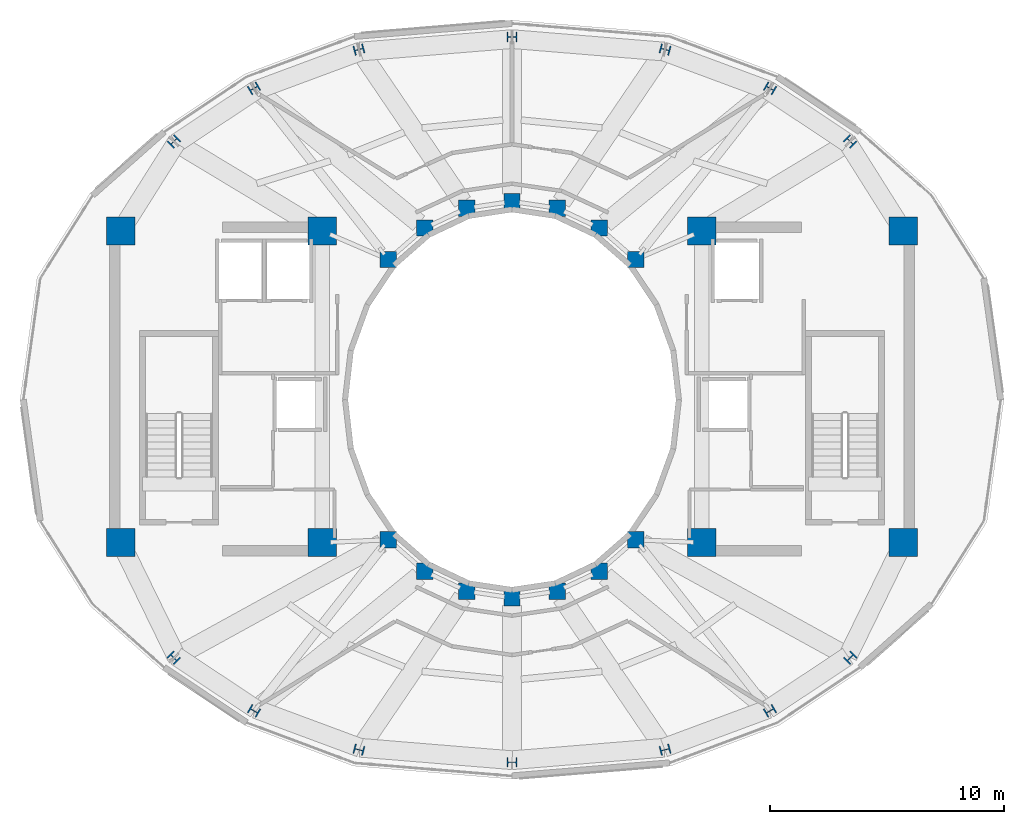
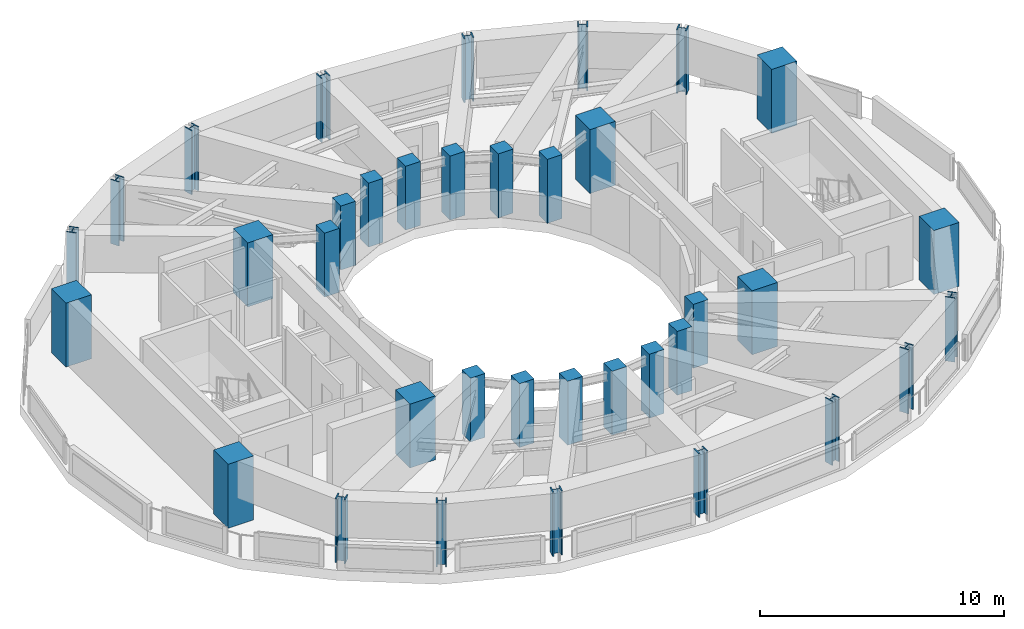
# One storey, part 1 of 21: 36 columns.
"""IFC4 building model written with IfcOpenShell, lengths in metres."""

from ifc_helpers import new_model, si_unit, direction, frame, origin, origin_2d, place, context, subcontext, project, spatial, rectangle, i_section, extrude, material, material_profile, profile_set, type_object, element, save


model = new_model("IFC4")

# Units and contexts
model_context = context("Model", 3, precision=1e-05, world=origin(), true_north=direction((0.0, 1.0)))
body_context = subcontext(model_context, "Body", "Model", "MODEL_VIEW")
ifc_project = project(units=[si_unit("LENGTHUNIT", "METRE"), si_unit("AREAUNIT", "SQUARE_METRE"), si_unit("VOLUMEUNIT", "CUBIC_METRE"), si_unit("PLANEANGLEUNIT", "RADIAN"), si_unit("MASSUNIT", "GRAM", prefix="KILO")], contexts=[model_context])

# Site, building, storey
site_placement = place(None, origin())
site = spatial("IfcSite", under=ifc_project, at=site_placement, CompositionType="ELEMENT")
building_placement = place(site_placement, origin())
building = spatial("IfcBuilding", under=site, at=building_placement, Name="Solvane Sanctuary Tower", CompositionType="ELEMENT")
storey_placement = place(building_placement, frame((0.0, 0.0, 260.39990234375)))
storey = spatial("IfcBuildingStorey", under=building, at=storey_placement, Name="L79", CompositionType="ELEMENT", Elevation=260.39990234375)

# Columns
ifc_material_1 = material(Name="Steel ASTM A913 Grade 65", Category="steel")
ifc_material_profile_1 = material_profile(ifc_material_1, i_section(OverallWidth=0.412109375, OverallDepth=0.43505859375, WebThickness=0.035888671875, FlangeThickness=0.057373046875, FilletRadius=0.02490234375, at=origin_2d()), Name="W14X311")
ifc_profile_set_1 = profile_set([ifc_material_profile_1], Name="Steel ASTM A913 Grade 65")
column_type_1 = type_object("IfcColumnType", Name="Column C-CROWN W14X311", PredefinedType="COLUMN", material=ifc_profile_set_1)
for number, where, z_axis, x_axis, name in (
    (1, (46.43310546875, 34.01708984375, 0.0), (0.0, 0.0, 1.0), (0.707106781187, 0.707106781187, 0.0), "L79 Perimeter Tube Column TC01"),
    (2, (43.01220703125, 36.285400390625, 0.0), (0.0, 0.0, 1.0), (0.5, 0.866025403784, 0.0), "L79 Perimeter Tube Column TC02"),
    (3, (38.533935546875, 37.9453125, 0.0), (0.0, 0.0, 1.0), (0.258819045103, 0.965925826289, 0.0), "L79 Perimeter Tube Column TC03"),
    (4, (32.0, 38.47998046875, 0.0), (0.0, 0.0, 1.0), (0.0, 1.0, 0.0), "L79 Perimeter Tube Column TC04"),
    (5, (25.466064453125, 37.9453125, 0.0), (0.0, 0.0, 1.0), (-0.258819045103, 0.965925826289, 0.0), "L79 Perimeter Tube Column TC05"),
    (6, (20.98779296875, 36.285400390625, 0.0), (0.0, 0.0, 1.0), (-0.5, 0.866025403784, 0.0), "L79 Perimeter Tube Column TC06"),
    (7, (17.56689453125, 34.01708984375, 0.0), (0.0, 0.0, 1.0), (-0.707106781187, 0.707106781187, 0.0), "L79 Perimeter Tube Column TC07"),
    (8, (17.56689453125, 11.98291015625, 0.0), (0.0, 0.0, 1.0), (-0.707106781187, -0.707106781187, 0.0), "L79 Perimeter Tube Column TC08"),
    (9, (20.98779296875, 9.714599609375, 0.0), (0.0, 0.0, 1.0), (-0.5, -0.866025403784, 0.0), "L79 Perimeter Tube Column TC09"),
    (10, (25.466064453125, 8.0546875, 0.0), (0.0, 0.0, 1.0), (-0.258819045103, -0.965925826289, 0.0), "L79 Perimeter Tube Column TC10"),
    (11, (32.0, 7.52001953125, 0.0), (0.0, 0.0, 1.0), (0.0, -1.0, 0.0), "L79 Perimeter Tube Column TC11"),
    (12, (38.533935546875, 8.0546875, 0.0), (0.0, 0.0, 1.0), (0.258819045103, -0.965925826289, 0.0), "L79 Perimeter Tube Column TC12"),
    (13, (43.01220703125, 9.714599609375, 0.0), (0.0, 0.0, 1.0), (0.5, -0.866025403784, 0.0), "L79 Perimeter Tube Column TC13"),
    (14, (46.43310546875, 11.98291015625, 0.0), (0.0, 0.0, 1.0), (0.707106781187, -0.707106781187, 0.0), "L79 Perimeter Tube Column TC14"),
):
    element("IfcColumn", number, at=place(storey_placement, frame(where, z_axis=z_axis, x_axis=x_axis)), inside=storey, type_object=column_type_1, Name=name, PredefinedType="COLUMN", context=body_context, shape_type="SweptSolid", body=[
        extrude(i_section(OverallWidth=0.412109375, OverallDepth=0.43505859375, WebThickness=0.035888671875, FlangeThickness=0.057373046875, FilletRadius=0.02490234375, at=origin_2d()), origin(), (0.0, 0.0, 1.0), 3.2001953125),
    ])
ifc_material_2 = material(Name="Concrete C50/60", Category="concrete")
ifc_material_profile_2 = material_profile(ifc_material_2, rectangle(XDim=0.699951171875, YDim=0.699951171875, at=origin_2d()), Name="RC700X700")
ifc_profile_set_2 = profile_set([ifc_material_profile_2], Name="Concrete C50/60")
column_type_2 = type_object("IfcColumnType", Name="Column C-RING-Z4 RC700X700", PredefinedType="COLUMN", material=ifc_profile_set_2)
for number, where, z_axis, x_axis, name in (
    (15, (37.27490234375, 28.982177734375, 0.0), (0.0, 0.0, 1.0), (1.0, 0.0, 0.0), "L79 Inner Light-Well Ring Column IC01"),
    (16, (35.72998046875, 30.32666015625, 0.0), (0.0, 0.0, 1.0), (1.0, 0.0, 0.0), "L79 Inner Light-Well Ring Column IC02"),
    (17, (33.930908203125, 31.171630859375, 0.0), (0.0, 0.0, 1.0), (1.0, 0.0, 0.0), "L79 Inner Light-Well Ring Column IC03"),
    (18, (32.0, 31.4599609375, 0.0), (0.0, 0.0, 1.0), (1.0, 0.0, 0.0), "L79 Inner Light-Well Ring Column IC04"),
    (19, (30.069091796875, 31.171630859375, 0.0), (0.0, 0.0, 1.0), (1.0, 0.0, 0.0), "L79 Inner Light-Well Ring Column IC05"),
    (20, (28.27001953125, 30.32666015625, 0.0), (0.0, 0.0, 1.0), (1.0, 0.0, 0.0), "L79 Inner Light-Well Ring Column IC06"),
    (21, (26.72509765625, 28.982177734375, 0.0), (0.0, 0.0, 1.0), (1.0, 0.0, 0.0), "L79 Inner Light-Well Ring Column IC07"),
    (22, (26.72509765625, 17.017822265625, 0.0), (0.0, 0.0, 1.0), (1.0, 0.0, 0.0), "L79 Inner Light-Well Ring Column IC08"),
    (23, (28.27001953125, 15.67333984375, 0.0), (0.0, 0.0, 1.0), (1.0, 0.0, 0.0), "L79 Inner Light-Well Ring Column IC09"),
    (24, (30.069091796875, 14.828369140625, 0.0), (0.0, 0.0, 1.0), (1.0, 0.0, 0.0), "L79 Inner Light-Well Ring Column IC10"),
    (25, (32.0, 14.5400390625, 0.0), (0.0, 0.0, 1.0), (1.0, 0.0, 0.0), "L79 Inner Light-Well Ring Column IC11"),
    (26, (33.930908203125, 14.828369140625, 0.0), (0.0, 0.0, 1.0), (1.0, 0.0, 0.0), "L79 Inner Light-Well Ring Column IC12"),
    (27, (35.72998046875, 15.67333984375, 0.0), (0.0, 0.0, 1.0), (1.0, 0.0, 0.0), "L79 Inner Light-Well Ring Column IC13"),
    (28, (37.27490234375, 17.017822265625, 0.0), (0.0, 0.0, 1.0), (1.0, 0.0, 0.0), "L79 Inner Light-Well Ring Column IC14"),
):
    element("IfcColumn", number, at=place(storey_placement, frame(where, z_axis=z_axis, x_axis=x_axis)), inside=storey, type_object=column_type_2, Name=name, PredefinedType="COLUMN", context=body_context, shape_type="SweptSolid", body=[
        extrude(rectangle(XDim=0.699951171875, YDim=0.699951171875, at=origin_2d()), origin(), (0.0, 0.0, 1.0), 3.2001953125),
    ])
ifc_material_3 = material(Name="Concrete C70/85", Category="concrete")
ifc_material_profile_3 = material_profile(ifc_material_3, rectangle(XDim=1.199951171875, YDim=1.199951171875, at=origin_2d()), Name="RC1200X1200")
ifc_profile_set_3 = profile_set([ifc_material_profile_3], Name="Concrete C70/85")
column_type_3 = type_object("IfcColumnType", Name="Column C-TUBE-Z1 RC1200X1200", PredefinedType="COLUMN", material=ifc_profile_set_3)
for number, where, z_axis, x_axis, name in (
    (29, (15.300048828125, 16.89990234375, 0.0), (0.0, 0.0, 1.0), (1.0, 0.0, 0.0), "L79 Core Corner Column CW1"),
    (30, (23.89990234375, 16.89990234375, 0.0), (0.0, 0.0, 1.0), (1.0, 0.0, 0.0), "L79 Core Corner Column CW2"),
    (31, (23.89990234375, 30.199951171875, 0.0), (0.0, 0.0, 1.0), (1.0, 0.0, 0.0), "L79 Core Corner Column CW3"),
    (32, (15.300048828125, 30.199951171875, 0.0), (0.0, 0.0, 1.0), (1.0, 0.0, 0.0), "L79 Core Corner Column CW4"),
    (33, (40.10009765625, 16.89990234375, 0.0), (0.0, 0.0, 1.0), (1.0, 0.0, 0.0), "L79 Core Corner Column CE1"),
    (34, (48.699951171875, 16.89990234375, 0.0), (0.0, 0.0, 1.0), (1.0, 0.0, 0.0), "L79 Core Corner Column CE2"),
    (35, (48.699951171875, 30.199951171875, 0.0), (0.0, 0.0, 1.0), (1.0, 0.0, 0.0), "L79 Core Corner Column CE3"),
    (36, (40.10009765625, 30.199951171875, 0.0), (0.0, 0.0, 1.0), (1.0, 0.0, 0.0), "L79 Core Corner Column CE4"),
):
    element("IfcColumn", number, at=place(storey_placement, frame(where, z_axis=z_axis, x_axis=x_axis)), inside=storey, type_object=column_type_3, Name=name, PredefinedType="COLUMN", context=body_context, shape_type="SweptSolid", body=[
        extrude(rectangle(XDim=1.199951171875, YDim=1.199951171875, at=origin_2d()), origin(), (0.0, 0.0, 1.0), 3.2001953125),
    ])

save(model, "model.ifc")
